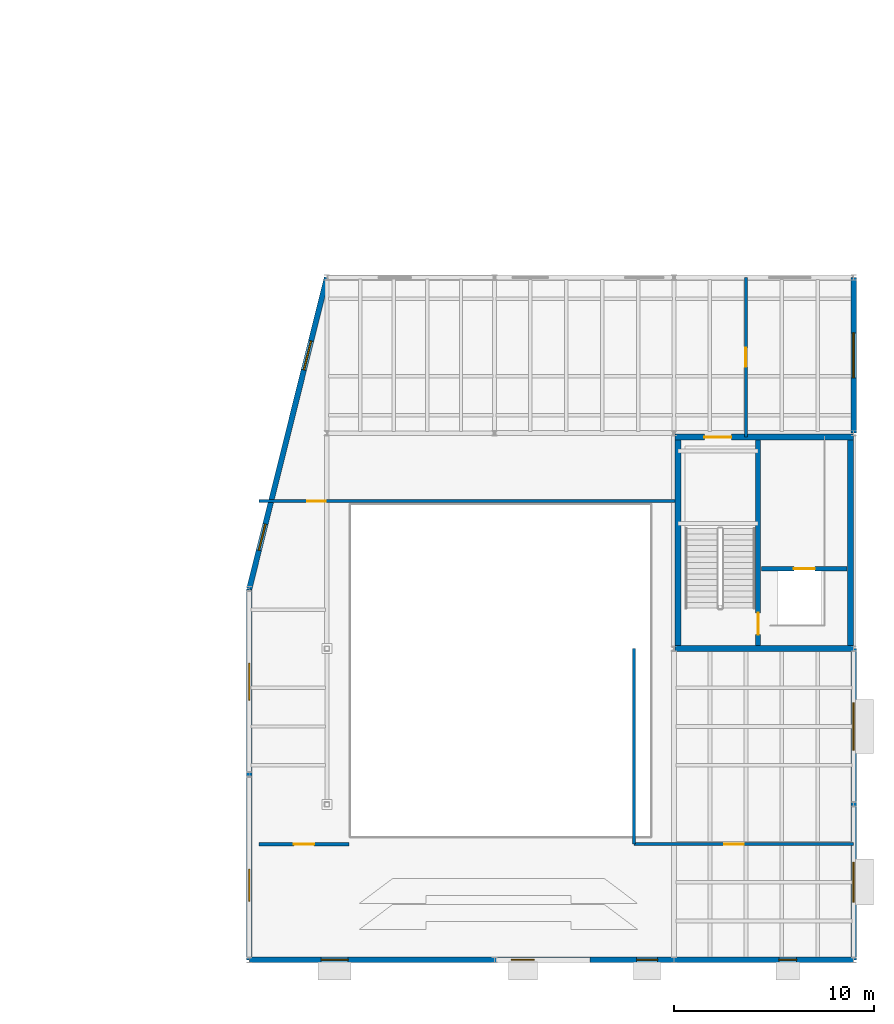
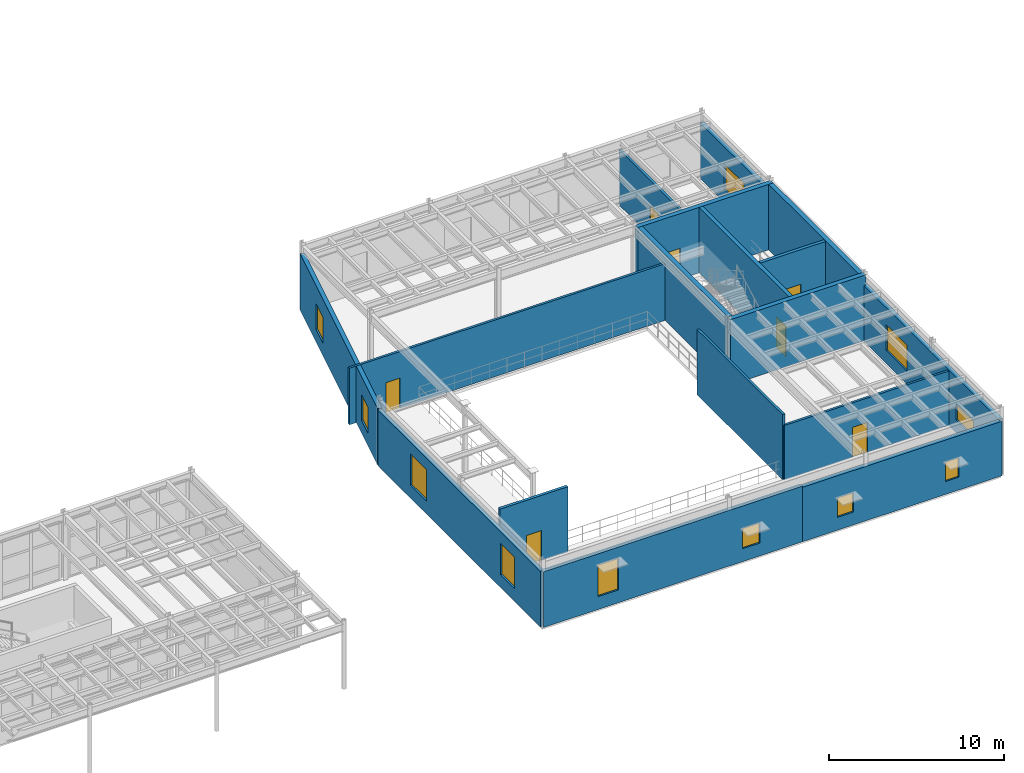
# One storey, part 100 of 116: 17 walls, 11 windows, 7 doors, 18 openings.
"""IFC4 building model written with IfcOpenShell, lengths in metres."""

from ifc_helpers import new_model, si_unit, direction, frame, frame_2d, origin, place, context, subcontext, project, spatial, rectangle, extrude, material, layer, layer_set, type_object, element, fill, save


model = new_model("IFC4")

# Units and contexts
model_context = context("Model", 3, precision=1e-05, world=origin(), true_north=direction((0.0, 1.0)))
body_context = subcontext(model_context, "Body", "Model", "MODEL_VIEW")
ifc_project = project(units=[si_unit("LENGTHUNIT", "METRE"), si_unit("AREAUNIT", "SQUARE_METRE"), si_unit("VOLUMEUNIT", "CUBIC_METRE"), si_unit("PLANEANGLEUNIT", "RADIAN"), si_unit("MASSUNIT", "GRAM", prefix="KILO")], contexts=[model_context])

# Site, building, storey
site_placement = place(None, origin())
site = spatial("IfcSite", under=ifc_project, at=site_placement, CompositionType="ELEMENT")
building_placement = place(site_placement, origin())
building = spatial("IfcBuilding", under=site, at=building_placement, Name="Selat Folded Stagehouse", CompositionType="ELEMENT")
storey_placement = place(building_placement, frame((0.0, 0.0, 5.39990234375)))
storey = spatial("IfcBuildingStorey", under=building, at=storey_placement, Name="L01", CompositionType="ELEMENT", Elevation=5.39990234375)

# Wall, opening, door
ifc_material_1 = material(Name="Acoustic twin-frame drywall partition", Category="gypsum")
ifc_layer_1 = layer(ifc_material_1, 0.18994140625)
ifc_layer_set_1 = layer_set([ifc_layer_1], Name="Acoustic twin-frame drywall partition")
wall_type_1 = type_object("IfcWallType", Name="WAL-ACOU-190", PredefinedType="PARTITIONING", material=ifc_layer_set_1)
wall_1_placement = place(storey_placement, frame((131.0, 5.800048828125, 0.0), z_axis=(0.0, 0.0, 1.0), x_axis=(1.0, 0.0, 0.0)))
wall_1 = element("IfcWall", 1, at=wall_1_placement, inside=storey, type_object=wall_type_1, Name="L01 interior partition wall 049", PredefinedType="PARTITIONING", context=body_context, shape_type="SweptSolid", body=[
    extrude(rectangle(XDim=4.5, YDim=0.18994140625, at=frame_2d((2.25, 0.0))), origin(), (0.0, 0.0, 1.0), 4.552001953125),
])
opening_1_placement = place(wall_1_placement, frame((1.739990234375, 0.0, 0.0)))
opening_1 = element("IfcOpeningElement", 2, at=opening_1_placement, cuts=wall_1, Name="Opening ID-01", PredefinedType="OPENING", context=body_context, shape_type="SweptSolid", body=[
    extrude(rectangle(XDim=1.02001953125, YDim=2.10009765625, at=frame_2d((0.510009765625, 1.050048828125))), frame((0.0, 0.10498046875, 0.0), z_axis=(0.0, -1.0, 0.0), x_axis=(1.0, 0.0, 0.0)), (0.0, 0.0, 1.0), 0.2099609375),
])
ifc_material_2 = material(Name="Performers dressing suite door", Category="wood")
door_type_1 = type_object("IfcDoorType", Name="DOR-DRS-1020", OperationType="NOTDEFINED", PredefinedType="DOOR", material=ifc_material_2)
door_1_placement = place(opening_1_placement, origin())
door_1 = element("IfcDoor", 3, at=door_1_placement, inside=storey, type_object=door_type_1, Name="L01 interior door IWAL-L01-049-1", OperationType="SINGLE_SWING_LEFT", OverallHeight=2.10009765625, OverallWidth=1.02001953125, PredefinedType="DOOR", context=body_context, shape_type="SweptSolid", body=[
    extrude(rectangle(XDim=1.02001953125, YDim=2.10009765625, at=frame_2d((0.510009765625, 1.050048828125))), frame((0.0, 0.02490234375, 0.0), z_axis=(0.0, -1.0, 0.0), x_axis=(1.0, 0.0, 0.0)), (0.0, 0.0, 1.0), 0.050048828125),
])
fill(opening_1, door_1)

ifc_material_3 = material(Name="Concrete C40/50", Category="concrete")
ifc_layer_2 = layer(ifc_material_3, 0.215087890625)
ifc_layer_set_2 = layer_set([ifc_layer_2], Name="Concrete C40/50")
wall_type_2 = type_object("IfcWallType", Name="WAL-COMP-215", PredefinedType="STANDARD", material=ifc_layer_set_2)
wall_2_placement = place(storey_placement, frame((156.179931640625, 19.60009765625, 0.0), z_axis=(0.0, 0.0, 1.0), x_axis=(1.0, 0.0, 0.0)))
wall_2 = element("IfcWall", 4, at=wall_2_placement, inside=storey, type_object=wall_type_2, Name="L01 PL-03 lift shaft front wall", PredefinedType="STANDARD", context=body_context, shape_type="SweptSolid", body=[
    extrude(rectangle(XDim=4.300048828125, YDim=0.215087890625, at=frame_2d((2.14990234375, 0.0))), origin(), (0.0, 0.0, 1.0), 4.572021484375),
])
opening_2_placement = place(wall_2_placement, frame((1.625, 0.0, 0.0)))
opening_2 = element("IfcOpeningElement", 5, at=opening_2_placement, cuts=wall_2, Name="Opening LD-03", PredefinedType="OPENING", context=body_context, shape_type="SweptSolid", body=[
    extrude(rectangle(XDim=1.050048828125, YDim=2.14990234375, at=frame_2d((0.52490234375, 1.074951171875))), frame((0.0, 0.117431640625, 0.0), z_axis=(0.0, -1.0, 0.0), x_axis=(1.0, 0.0, 0.0)), (0.0, 0.0, 1.0), 0.235107421875),
])
ifc_material_4 = material(Name="Passenger lift stainless sliding landing door", Category="wood")
door_type_2 = type_object("IfcDoorType", Name="DOR-LFT-1050", OperationType="NOTDEFINED", PredefinedType="DOOR", material=ifc_material_4)
door_2_placement = place(opening_2_placement, origin())
door_2 = element("IfcDoor", 6, at=door_2_placement, inside=storey, type_object=door_type_2, Name="L01 PL-03 lift sliding landing door", OperationType="SLIDING_TO_LEFT", OverallHeight=2.14990234375, OverallWidth=1.050048828125, PredefinedType="DOOR", context=body_context, shape_type="SweptSolid", body=[
    extrude(rectangle(XDim=1.050048828125, YDim=2.14990234375, at=frame_2d((0.52490234375, 1.074951171875))), frame((0.0, 0.02490234375, 0.0), z_axis=(0.0, -1.0, 0.0), x_axis=(1.0, 0.0, 0.0)), (0.0, 0.0, 1.0), 0.050048828125),
])
fill(opening_2, door_2)

ifc_material_5 = material(Name="Concrete C50/60", Category="concrete")
ifc_layer_3 = layer(ifc_material_5, 0.25)
ifc_layer_set_3 = layer_set([ifc_layer_3], Name="Concrete C50/60")
wall_type_3 = type_object("IfcWallType", Name="WAL-CORE-250", PredefinedType="SHEAR", material=ifc_layer_set_3)
wall_3_placement = place(storey_placement, frame((156.02001953125, 26.050048828125, 0.0), z_axis=(0.0, 0.0, 1.0), x_axis=(0.0, -1.0, 0.0)))
wall_3 = element("IfcWall", 7, at=wall_3_placement, inside=storey, type_object=wall_type_3, Name="L01 CR-4 internal core divider wall", PredefinedType="SHEAR", context=body_context, shape_type="SweptSolid", body=[
    extrude(rectangle(XDim=10.300048828125, YDim=0.25, at=frame_2d((5.14990234375, 0.0))), origin(), (0.0, 0.0, 1.0), 4.580078125),
])
opening_3_placement = place(wall_3_placement, frame((8.64990234375, 0.0, 0.0)))
opening_3 = element("IfcOpeningElement", 8, at=opening_3_placement, cuts=wall_3, Name="Opening FD-60", PredefinedType="OPENING", context=body_context, shape_type="SweptSolid", body=[
    extrude(rectangle(XDim=1.10009765625, YDim=2.14990234375, at=frame_2d((0.550048828125, 1.074951171875))), frame((0.0, 0.135009765625, 0.0), z_axis=(0.0, -1.0, 0.0), x_axis=(1.0, 0.0, 0.0)), (0.0, 0.0, 1.0), 0.27001953125),
])
ifc_material_6 = material(Name="Fire-rated timber core door", Category="wood")
door_type_3 = type_object("IfcDoorType", Name="DOR-FIRE-60", OperationType="NOTDEFINED", PredefinedType="DOOR", material=ifc_material_6)
door_3_placement = place(opening_3_placement, origin())
door_3 = element("IfcDoor", 9, at=door_3_placement, inside=storey, type_object=door_type_3, Name="L01 CR-4 protected stair fire door", OperationType="SINGLE_SWING_LEFT", OverallHeight=2.14990234375, OverallWidth=1.10009765625, PredefinedType="DOOR", context=body_context, shape_type="SweptSolid", body=[
    extrude(rectangle(XDim=1.10009765625, YDim=2.14990234375, at=frame_2d((0.550048828125, 1.074951171875))), frame((0.0, 0.02490234375, 0.0), z_axis=(0.0, -1.0, 0.0), x_axis=(1.0, 0.0, 0.0)), (0.0, 0.0, 1.0), 0.050048828125),
])
fill(opening_3, door_3)

# Wall, openings, windows
ifc_material_7 = material(Name="Precast concrete C40/50", Category="concrete")
ifc_layer_4 = layer(ifc_material_7, 0.27490234375)
ifc_layer_set_4 = layer_set([ifc_layer_4], Name="Precast concrete C40/50")
wall_type_4 = type_object("IfcWallType", Name="WAL-EXT-275", PredefinedType="STANDARD", material=ifc_layer_set_4)
wall_4_placement = place(storey_placement, frame((160.800048828125, 0.0, 0.0), z_axis=(0.0, 0.0, 1.0), x_axis=(-1.0, 0.0, 0.0)))
wall_4 = element("IfcWall", 10, at=wall_4_placement, inside=storey, type_object=wall_type_4, Name="L01 exterior facade wall EW-L01-V3S-1", PredefinedType="STANDARD", context=body_context, shape_type="SweptSolid", body=[
    extrude(rectangle(XDim=13.199951171875, YDim=0.27490234375, at=frame_2d((6.60009765625, 0.0))), origin(), (0.0, 0.0, 1.0), 3.80224609375),
])
opening_4_placement = place(wall_4_placement, frame((2.85009765625, 0.0, 0.89990234375)))
opening_4 = element("IfcOpeningElement", 11, at=opening_4_placement, cuts=wall_4, Name="Opening WN-44", PredefinedType="OPENING", context=body_context, shape_type="SweptSolid", body=[
    extrude(rectangle(XDim=0.89990234375, YDim=1.35009765625, at=frame_2d((0.449951171875, 0.675048828125))), frame((0.0, 0.1474609375, 0.0), z_axis=(0.0, -1.0, 0.0), x_axis=(1.0, 0.0, 0.0)), (0.0, 0.0, 1.0), 0.294921875),
])
opening_5_placement = place(wall_4_placement, frame((9.824951171875, 0.0, 0.89990234375)))
opening_5 = element("IfcOpeningElement", 12, at=opening_5_placement, cuts=wall_4, Name="Opening WN-43", PredefinedType="OPENING", context=body_context, shape_type="SweptSolid", body=[
    extrude(rectangle(XDim=1.050048828125, YDim=1.35009765625, at=frame_2d((0.52490234375, 0.675048828125))), frame((0.0, 0.1474609375, 0.0), z_axis=(0.0, -1.0, 0.0), x_axis=(1.0, 0.0, 0.0)), (0.0, 0.0, 1.0), 0.294921875),
])
ifc_material_8 = material(Name="Thermally broken aluminium and acoustic low-E glass", Category="aluminium")
window_type_1 = type_object("IfcWindowType", Name="WIN-ST-0900x1350", PartitioningType="SINGLE_PANEL", PredefinedType="WINDOW", material=ifc_material_8)
window_1_placement = place(opening_4_placement, origin())
window_1 = element("IfcWindow", 13, at=window_1_placement, inside=storey, type_object=window_type_1, Name="L01 exterior window EW-L01-V3S-1-1", OverallHeight=1.35009765625, OverallWidth=0.89990234375, PartitioningType="SINGLE_PANEL", PredefinedType="WINDOW", context=body_context, shape_type="SweptSolid", body=[
    extrude(rectangle(XDim=0.89990234375, YDim=1.35009765625, at=frame_2d((0.449951171875, 0.675048828125))), frame((0.0, 0.030029296875, 0.0), z_axis=(0.0, -1.0, 0.0), x_axis=(1.0, 0.0, 0.0)), (0.0, 0.0, 1.0), 0.06005859375),
])
fill(opening_4, window_1)
window_type_2 = type_object("IfcWindowType", Name="WIN-ST-1050x1350", PartitioningType="SINGLE_PANEL", PredefinedType="WINDOW", material=ifc_material_8)
window_2_placement = place(opening_5_placement, origin())
window_2 = element("IfcWindow", 14, at=window_2_placement, inside=storey, type_object=window_type_2, Name="L01 exterior window EW-L01-V3S-1-2", OverallHeight=1.35009765625, OverallWidth=1.050048828125, PartitioningType="SINGLE_PANEL", PredefinedType="WINDOW", context=body_context, shape_type="SweptSolid", body=[
    extrude(rectangle(XDim=1.050048828125, YDim=1.35009765625, at=frame_2d((0.52490234375, 0.675048828125))), frame((0.0, 0.030029296875, 0.0), z_axis=(0.0, -1.0, 0.0), x_axis=(1.0, 0.0, 0.0)), (0.0, 0.0, 1.0), 0.06005859375),
])
fill(opening_5, window_2)

wall_5_placement = place(storey_placement, frame((147.60009765625, 0.0, 0.0), z_axis=(0.0, 0.0, 1.0), x_axis=(-1.0, 0.0, 0.0)))
wall_5 = element("IfcWall", 15, at=wall_5_placement, inside=storey, type_object=wall_type_4, Name="L01 exterior facade wall EW-L01-V3S-2", PredefinedType="STANDARD", context=body_context, shape_type="SweptSolid", body=[
    extrude(rectangle(XDim=17.089599609375, YDim=0.27490234375, at=frame_2d((8.544921875, 0.0))), origin(), (0.0, 0.0, 1.0), 3.888671875),
])
opening_6_placement = place(wall_5_placement, frame((2.79736328125, 0.0, 0.89990234375)))
opening_6 = element("IfcOpeningElement", 16, at=opening_6_placement, cuts=wall_5, Name="Opening WN-42", PredefinedType="OPENING", context=body_context, shape_type="SweptSolid", body=[
    extrude(rectangle(XDim=1.14990234375, YDim=1.39990234375, at=frame_2d((0.574951171875, 0.699951171875))), frame((0.0, 0.1474609375, 0.0), z_axis=(0.0, -1.0, 0.0), x_axis=(1.0, 0.0, 0.0)), (0.0, 0.0, 1.0), 0.294921875),
])
opening_7_placement = place(wall_5_placement, frame((12.14208984375, 0.0, 0.89990234375)))
opening_7 = element("IfcOpeningElement", 17, at=opening_7_placement, cuts=wall_5, Name="Opening WN-41", PredefinedType="OPENING", context=body_context, shape_type="SweptSolid", body=[
    extrude(rectangle(XDim=1.35009765625, YDim=2.199951171875, at=frame_2d((0.675048828125, 1.10009765625))), frame((0.0, 0.1474609375, 0.0), z_axis=(0.0, -1.0, 0.0), x_axis=(1.0, 0.0, 0.0)), (0.0, 0.0, 1.0), 0.294921875),
])
window_type_3 = type_object("IfcWindowType", Name="WIN-ST-1150x1400", PartitioningType="SINGLE_PANEL", PredefinedType="WINDOW", material=ifc_material_8)
window_3_placement = place(opening_6_placement, origin())
window_3 = element("IfcWindow", 18, at=window_3_placement, inside=storey, type_object=window_type_3, Name="L01 exterior window EW-L01-V3S-2-1", OverallHeight=1.39990234375, OverallWidth=1.14990234375, PartitioningType="SINGLE_PANEL", PredefinedType="WINDOW", context=body_context, shape_type="SweptSolid", body=[
    extrude(rectangle(XDim=1.14990234375, YDim=1.39990234375, at=frame_2d((0.574951171875, 0.699951171875))), frame((0.0, 0.030029296875, 0.0), z_axis=(0.0, -1.0, 0.0), x_axis=(1.0, 0.0, 0.0)), (0.0, 0.0, 1.0), 0.06005859375),
])
fill(opening_6, window_3)
window_type_4 = type_object("IfcWindowType", Name="WIN-ST-1350x2200", PartitioningType="SINGLE_PANEL", PredefinedType="WINDOW", material=ifc_material_8)
window_4_placement = place(opening_7_placement, origin())
window_4 = element("IfcWindow", 19, at=window_4_placement, inside=storey, type_object=window_type_4, Name="L01 exterior window EW-L01-V3S-2-2", OverallHeight=2.199951171875, OverallWidth=1.35009765625, PartitioningType="SINGLE_PANEL", PredefinedType="WINDOW", context=body_context, shape_type="SweptSolid", body=[
    extrude(rectangle(XDim=1.35009765625, YDim=2.199951171875, at=frame_2d((0.675048828125, 1.10009765625))), frame((0.0, 0.030029296875, 0.0), z_axis=(0.0, -1.0, 0.0), x_axis=(1.0, 0.0, 0.0)), (0.0, 0.0, 1.0), 0.06005859375),
])
fill(opening_7, window_4)

wall_6_placement = place(storey_placement, frame((130.510498046875, 0.0, 0.0), z_axis=(0.0, 0.0, 1.0), x_axis=(0.0, 1.0, 0.0)))
wall_6 = element("IfcWall", 20, at=wall_6_placement, inside=storey, type_object=wall_type_4, Name="L01 exterior facade wall EW-L01-V3W-1", PredefinedType="STANDARD", context=body_context, shape_type="SweptSolid", body=[
    extrude(rectangle(XDim=18.60009765625, YDim=0.27490234375, at=frame_2d((9.300048828125, 0.0))), origin(), (0.0, 0.0, 1.0), 3.888671875),
])
opening_8_placement = place(wall_6_placement, frame((2.949951171875, 0.0, 0.89990234375)))
opening_8 = element("IfcOpeningElement", 21, at=opening_8_placement, cuts=wall_6, Name="Opening WN-40", PredefinedType="OPENING", context=body_context, shape_type="SweptSolid", body=[
    extrude(rectangle(XDim=1.60009765625, YDim=2.199951171875, at=frame_2d((0.800048828125, 1.10009765625))), frame((0.0, 0.1474609375, 0.0), z_axis=(0.0, -1.0, 0.0), x_axis=(1.0, 0.0, 0.0)), (0.0, 0.0, 1.0), 0.294921875),
])
opening_9_placement = place(wall_6_placement, frame((13.02490234375, 0.0, 0.89990234375)))
opening_9 = element("IfcOpeningElement", 22, at=opening_9_placement, cuts=wall_6, Name="Opening WN-39", PredefinedType="OPENING", context=body_context, shape_type="SweptSolid", body=[
    extrude(rectangle(XDim=1.85009765625, YDim=2.199951171875, at=frame_2d((0.925048828125, 1.10009765625))), frame((0.0, 0.1474609375, 0.0), z_axis=(0.0, -1.0, 0.0), x_axis=(1.0, 0.0, 0.0)), (0.0, 0.0, 1.0), 0.294921875),
])
window_type_5 = type_object("IfcWindowType", Name="WIN-ST-1600x2200", PartitioningType="SINGLE_PANEL", PredefinedType="WINDOW", material=ifc_material_8)
window_5_placement = place(opening_8_placement, origin())
window_5 = element("IfcWindow", 23, at=window_5_placement, inside=storey, type_object=window_type_5, Name="L01 exterior window EW-L01-V3W-1-1", OverallHeight=2.199951171875, OverallWidth=1.60009765625, PartitioningType="SINGLE_PANEL", PredefinedType="WINDOW", context=body_context, shape_type="SweptSolid", body=[
    extrude(rectangle(XDim=1.60009765625, YDim=2.199951171875, at=frame_2d((0.800048828125, 1.10009765625))), frame((0.0, 0.030029296875, 0.0), z_axis=(0.0, -1.0, 0.0), x_axis=(1.0, 0.0, 0.0)), (0.0, 0.0, 1.0), 0.06005859375),
])
fill(opening_8, window_5)
window_type_6 = type_object("IfcWindowType", Name="WIN-ST-1850x2200", PartitioningType="SINGLE_PANEL", PredefinedType="WINDOW", material=ifc_material_8)
window_6_placement = place(opening_9_placement, origin())
window_6 = element("IfcWindow", 24, at=window_6_placement, inside=storey, type_object=window_type_6, Name="L01 exterior window EW-L01-V3W-1-2", OverallHeight=2.199951171875, OverallWidth=1.85009765625, PartitioningType="SINGLE_PANEL", PredefinedType="WINDOW", context=body_context, shape_type="SweptSolid", body=[
    extrude(rectangle(XDim=1.85009765625, YDim=2.199951171875, at=frame_2d((0.925048828125, 1.10009765625))), frame((0.0, 0.030029296875, 0.0), z_axis=(0.0, -1.0, 0.0), x_axis=(1.0, 0.0, 0.0)), (0.0, 0.0, 1.0), 0.06005859375),
])
fill(opening_9, window_6)

wall_7_placement = place(storey_placement, frame((130.510498046875, 18.60009765625, 0.0), z_axis=(0.0, 0.0, 1.0), x_axis=(0.241917443673, 0.970296836255, 0.0)))
wall_7 = element("IfcWall", 25, at=wall_7_placement, inside=storey, type_object=wall_type_4, Name="L01 exterior facade wall EW-L01-V3W-2", PredefinedType="STANDARD", context=body_context, shape_type="SweptSolid", body=[
    extrude(rectangle(XDim=16.077392578125, YDim=0.27490234375, at=frame_2d((8.03857421875, 0.0))), origin(), (0.0, 0.0, 1.0), 3.954833984375),
])
opening_10_placement = place(wall_7_placement, frame((1.994384765625, 0.0, 0.89990234375)))
opening_10 = element("IfcOpeningElement", 26, at=opening_10_placement, cuts=wall_7, Name="Opening WN-08", PredefinedType="OPENING", context=body_context, shape_type="SweptSolid", body=[
    extrude(rectangle(XDim=1.35009765625, YDim=1.800048828125, at=frame_2d((0.675048828125, 0.89990234375))), frame((0.0, 0.1474609375, 0.0), z_axis=(0.0, -1.0, 0.0), x_axis=(1.0, 0.0, 0.0)), (0.0, 0.0, 1.0), 0.294921875),
])
opening_11_placement = place(wall_7_placement, frame((11.30810546875, 0.0, 0.89990234375)))
opening_11 = element("IfcOpeningElement", 27, at=opening_11_placement, cuts=wall_7, Name="Opening WN-07", PredefinedType="OPENING", context=body_context, shape_type="SweptSolid", body=[
    extrude(rectangle(XDim=1.5, YDim=1.800048828125, at=frame_2d((0.75, 0.89990234375))), frame((0.0, 0.1474609375, 0.0), z_axis=(0.0, -1.0, 0.0), x_axis=(1.0, 0.0, 0.0)), (0.0, 0.0, 1.0), 0.294921875),
])
window_type_7 = type_object("IfcWindowType", Name="WIN-WK-1350x1800", PartitioningType="SINGLE_PANEL", PredefinedType="WINDOW", material=ifc_material_8)
window_7_placement = place(opening_10_placement, origin())
window_7 = element("IfcWindow", 28, at=window_7_placement, inside=storey, type_object=window_type_7, Name="L01 exterior window EW-L01-V3W-2-1", OverallHeight=1.800048828125, OverallWidth=1.35009765625, PartitioningType="SINGLE_PANEL", PredefinedType="WINDOW", context=body_context, shape_type="SweptSolid", body=[
    extrude(rectangle(XDim=1.35009765625, YDim=1.800048828125, at=frame_2d((0.675048828125, 0.89990234375))), frame((0.0, 0.030029296875, 0.0), z_axis=(0.0, -1.0, 0.0), x_axis=(1.0, 0.0, 0.0)), (0.0, 0.0, 1.0), 0.06005859375),
])
fill(opening_10, window_7)
window_type_8 = type_object("IfcWindowType", Name="WIN-WK-1500x1800", PartitioningType="SINGLE_PANEL", PredefinedType="WINDOW", material=ifc_material_8)
window_8_placement = place(opening_11_placement, origin())
window_8 = element("IfcWindow", 29, at=window_8_placement, inside=storey, type_object=window_type_8, Name="L01 exterior window EW-L01-V3W-2-2", OverallHeight=1.800048828125, OverallWidth=1.5, PartitioningType="SINGLE_PANEL", PredefinedType="WINDOW", context=body_context, shape_type="SweptSolid", body=[
    extrude(rectangle(XDim=1.5, YDim=1.800048828125, at=frame_2d((0.75, 0.89990234375))), frame((0.0, 0.030029296875, 0.0), z_axis=(0.0, -1.0, 0.0), x_axis=(1.0, 0.0, 0.0)), (0.0, 0.0, 1.0), 0.06005859375),
])
fill(opening_11, window_8)

# Wall, opening, window
wall_8_placement = place(storey_placement, frame((160.800048828125, 34.199951171875, 0.0), z_axis=(0.0, 0.0, 1.0), x_axis=(0.0, -1.0, 0.0)))
wall_8 = element("IfcWall", 30, at=wall_8_placement, inside=storey, type_object=wall_type_4, Name="L01 exterior facade wall EW-L01-V3E-1", PredefinedType="STANDARD", context=body_context, shape_type="SweptSolid", body=[
    extrude(rectangle(XDim=7.800048828125, YDim=0.27490234375, at=frame_2d((3.89990234375, 0.0))), origin(), (0.0, 0.0, 1.0), 3.888671875),
])
opening_12_placement = place(wall_8_placement, frame((2.77490234375, 0.0, 0.89990234375)))
opening_12 = element("IfcOpeningElement", 31, at=opening_12_placement, cuts=wall_8, Name="Opening WN-02", PredefinedType="OPENING", context=body_context, shape_type="SweptSolid", body=[
    extrude(rectangle(XDim=2.25, YDim=1.800048828125, at=frame_2d((1.125, 0.89990234375))), frame((0.0, 0.1474609375, 0.0), z_axis=(0.0, -1.0, 0.0), x_axis=(1.0, 0.0, 0.0)), (0.0, 0.0, 1.0), 0.294921875),
])
window_type_9 = type_object("IfcWindowType", Name="WIN-WK-2250x1800", PartitioningType="SINGLE_PANEL", PredefinedType="WINDOW", material=ifc_material_8)
window_9_placement = place(opening_12_placement, origin())
window_9 = element("IfcWindow", 32, at=window_9_placement, inside=storey, type_object=window_type_9, Name="L01 exterior window EW-L01-V3E-1-1", OverallHeight=1.800048828125, OverallWidth=2.25, PartitioningType="SINGLE_PANEL", PredefinedType="WINDOW", context=body_context, shape_type="SweptSolid", body=[
    extrude(rectangle(XDim=2.25, YDim=1.800048828125, at=frame_2d((1.125, 0.89990234375))), frame((0.0, 0.030029296875, 0.0), z_axis=(0.0, -1.0, 0.0), x_axis=(1.0, 0.0, 0.0)), (0.0, 0.0, 1.0), 0.06005859375),
])
fill(opening_12, window_9)

# Wall, openings, windows
wall_9_placement = place(storey_placement, frame((160.800048828125, 15.60009765625, 0.0), z_axis=(0.0, 0.0, 1.0), x_axis=(0.0, -1.0, 0.0)))
wall_9 = element("IfcWall", 33, at=wall_9_placement, inside=storey, type_object=wall_type_4, Name="L01 exterior facade wall EW-L01-V3E-3", PredefinedType="STANDARD", context=body_context, shape_type="SweptSolid", body=[
    extrude(rectangle(XDim=15.60009765625, YDim=0.27490234375, at=frame_2d((7.800048828125, 0.0))), origin(), (0.0, 0.0, 1.0), 3.888671875),
])
opening_13_placement = place(wall_9_placement, frame((2.699951171875, 0.0, 0.89990234375)))
opening_13 = element("IfcOpeningElement", 34, at=opening_13_placement, cuts=wall_9, Name="Opening WN-01", PredefinedType="OPENING", context=body_context, shape_type="SweptSolid", body=[
    extrude(rectangle(XDim=2.39990234375, YDim=1.800048828125, at=frame_2d((1.199951171875, 0.89990234375))), frame((0.0, 0.1474609375, 0.0), z_axis=(0.0, -1.0, 0.0), x_axis=(1.0, 0.0, 0.0)), (0.0, 0.0, 1.0), 0.294921875),
])
opening_14_placement = place(wall_9_placement, frame((10.699951171875, 0.0, 0.89990234375)))
opening_14 = element("IfcOpeningElement", 35, at=opening_14_placement, cuts=wall_9, Name="Opening WN-14", PredefinedType="OPENING", context=body_context, shape_type="SweptSolid", body=[
    extrude(rectangle(XDim=2.0, YDim=1.10009765625, at=frame_2d((1.0, 0.550048828125))), frame((0.0, 0.1474609375, 0.0), z_axis=(0.0, -1.0, 0.0), x_axis=(1.0, 0.0, 0.0)), (0.0, 0.0, 1.0), 0.294921875),
])
window_type_10 = type_object("IfcWindowType", Name="WIN-CL-2000x1100", PartitioningType="SINGLE_PANEL", PredefinedType="WINDOW", material=ifc_material_8)
window_10_placement = place(opening_14_placement, origin())
window_10 = element("IfcWindow", 36, at=window_10_placement, inside=storey, type_object=window_type_10, Name="L01 exterior window EW-L01-V3E-3-2", OverallHeight=1.10009765625, OverallWidth=2.0, PartitioningType="SINGLE_PANEL", PredefinedType="WINDOW", context=body_context, shape_type="SweptSolid", body=[
    extrude(rectangle(XDim=2.0, YDim=1.10009765625, at=frame_2d((1.0, 0.550048828125))), frame((0.0, 0.030029296875, 0.0), z_axis=(0.0, -1.0, 0.0), x_axis=(1.0, 0.0, 0.0)), (0.0, 0.0, 1.0), 0.06005859375),
])
fill(opening_14, window_10)
window_type_11 = type_object("IfcWindowType", Name="WIN-WK-2400x1800", PartitioningType="SINGLE_PANEL", PredefinedType="WINDOW", material=ifc_material_8)
window_11_placement = place(opening_13_placement, origin())
window_11 = element("IfcWindow", 37, at=window_11_placement, inside=storey, type_object=window_type_11, Name="L01 exterior window EW-L01-V3E-3-1", OverallHeight=1.800048828125, OverallWidth=2.39990234375, PartitioningType="SINGLE_PANEL", PredefinedType="WINDOW", context=body_context, shape_type="SweptSolid", body=[
    extrude(rectangle(XDim=2.39990234375, YDim=1.800048828125, at=frame_2d((1.199951171875, 0.89990234375))), frame((0.0, 0.030029296875, 0.0), z_axis=(0.0, -1.0, 0.0), x_axis=(1.0, 0.0, 0.0)), (0.0, 0.0, 1.0), 0.06005859375),
])
fill(opening_13, window_11)

# Wall, opening, door
ifc_material_9 = material(Name="Fire-rated drywall stud partition", Category="gypsum")
ifc_layer_5 = layer(ifc_material_9, 0.14990234375)
ifc_layer_set_5 = layer_set([ifc_layer_5], Name="Fire-rated drywall stud partition")
wall_type_5 = type_object("IfcWallType", Name="WAL-PART-150", PredefinedType="PARTITIONING", material=ifc_layer_set_5)
wall_10_placement = place(storey_placement, frame((131.0, 23.0, 0.0), z_axis=(0.0, 0.0, 1.0), x_axis=(1.0, 0.0, 0.0)))
wall_10 = element("IfcWall", 38, at=wall_10_placement, inside=storey, type_object=wall_type_5, Name="L01 interior partition wall 050", PredefinedType="PARTITIONING", context=body_context, shape_type="SweptSolid", body=[
    extrude(rectangle(XDim=21.0, YDim=0.14990234375, at=frame_2d((10.5, 0.0))), origin(), (0.0, 0.0, 1.0), 3.954833984375),
])
opening_15_placement = place(wall_10_placement, frame((2.4072265625, 0.0, 0.0)))
opening_15 = element("IfcOpeningElement", 39, at=opening_15_placement, cuts=wall_10, Name="Opening ID-03", PredefinedType="OPENING", context=body_context, shape_type="SweptSolid", body=[
    extrude(rectangle(XDim=0.93994140625, YDim=2.10009765625, at=frame_2d((0.469970703125, 1.050048828125))), frame((0.0, 0.0849609375, 0.0), z_axis=(0.0, -1.0, 0.0), x_axis=(1.0, 0.0, 0.0)), (0.0, 0.0, 1.0), 0.169921875),
])
ifc_material_10 = material(Name="Backstage room single door", Category="wood")
door_type_4 = type_object("IfcDoorType", Name="DOR-GEN-0940", OperationType="NOTDEFINED", PredefinedType="DOOR", material=ifc_material_10)
door_4_placement = place(opening_15_placement, origin())
door_4 = element("IfcDoor", 40, at=door_4_placement, inside=storey, type_object=door_type_4, Name="L01 interior door IWAL-L01-050-1", OperationType="SINGLE_SWING_RIGHT", OverallHeight=2.10009765625, OverallWidth=0.93994140625, PredefinedType="DOOR", context=body_context, shape_type="SweptSolid", body=[
    extrude(rectangle(XDim=0.93994140625, YDim=2.10009765625, at=frame_2d((0.469970703125, 1.050048828125))), frame((0.0, 0.02490234375, 0.0), z_axis=(0.0, -1.0, 0.0), x_axis=(1.0, 0.0, 0.0)), (0.0, 0.0, 1.0), 0.050048828125),
])
fill(opening_15, door_4)

wall_11_placement = place(storey_placement, frame((149.800048828125, 5.800048828125, 0.0), z_axis=(0.0, 0.0, 1.0), x_axis=(1.0, 0.0, 0.0)))
wall_11 = element("IfcWall", 41, at=wall_11_placement, inside=storey, type_object=wall_type_5, Name="L01 interior partition wall 051", PredefinedType="PARTITIONING", context=body_context, shape_type="SweptSolid", body=[
    extrude(rectangle(XDim=11.0, YDim=0.14990234375, at=frame_2d((5.5, 0.0))), origin(), (0.0, 0.0, 1.0), 3.80224609375),
])
opening_16_placement = place(wall_11_placement, frame((4.509033203125, 0.0, 0.0)))
opening_16 = element("IfcOpeningElement", 42, at=opening_16_placement, cuts=wall_11, Name="Opening ID-02", PredefinedType="OPENING", context=body_context, shape_type="SweptSolid", body=[
    extrude(rectangle(XDim=0.97998046875, YDim=2.10009765625, at=frame_2d((0.489990234375, 1.050048828125))), frame((0.0, 0.0849609375, 0.0), z_axis=(0.0, -1.0, 0.0), x_axis=(1.0, 0.0, 0.0)), (0.0, 0.0, 1.0), 0.169921875),
])
ifc_material_11 = material(Name="Production office timber door", Category="wood")
door_type_5 = type_object("IfcDoorType", Name="DOR-OFF-0980", OperationType="NOTDEFINED", PredefinedType="DOOR", material=ifc_material_11)
door_5_placement = place(opening_16_placement, origin())
door_5 = element("IfcDoor", 43, at=door_5_placement, inside=storey, type_object=door_type_5, Name="L01 interior door IWAL-L01-051-1", OperationType="SINGLE_SWING_LEFT", OverallHeight=2.10009765625, OverallWidth=0.97998046875, PredefinedType="DOOR", context=body_context, shape_type="SweptSolid", body=[
    extrude(rectangle(XDim=0.97998046875, YDim=2.10009765625, at=frame_2d((0.489990234375, 1.050048828125))), frame((0.0, 0.02490234375, 0.0), z_axis=(0.0, -1.0, 0.0), x_axis=(1.0, 0.0, 0.0)), (0.0, 0.0, 1.0), 0.050048828125),
])
fill(opening_16, door_5)

# Wall
wall_12_placement = place(storey_placement, frame((149.800048828125, 5.800048828125, 0.0), z_axis=(0.0, 0.0, 1.0), x_axis=(0.0, 1.0, 0.0)))
element("IfcWall", 44, at=wall_12_placement, inside=storey, type_object=wall_type_5, Name="L01 interior partition wall 052", PredefinedType="PARTITIONING", context=body_context, shape_type="SweptSolid", body=[
    extrude(rectangle(XDim=9.800048828125, YDim=0.14990234375, at=frame_2d((4.89990234375, 0.0))), origin(), (0.0, 0.0, 1.0), 4.552001953125),
])

# Wall, opening, door
ifc_material_12 = material(Name="Moisture-resistant sanitary service wall", Category="gypsum")
ifc_layer_6 = layer(ifc_material_12, 0.159912109375)
ifc_layer_set_6 = layer_set([ifc_layer_6], Name="Moisture-resistant sanitary service wall")
wall_type_6 = type_object("IfcWallType", Name="WAL-PLMB-160", PredefinedType="PLUMBINGWALL", material=ifc_layer_set_6)
wall_13_placement = place(storey_placement, frame((155.39990234375, 26.199951171875, 0.0), z_axis=(0.0, 0.0, 1.0), x_axis=(0.0, 1.0, 0.0)))
wall_13 = element("IfcWall", 45, at=wall_13_placement, inside=storey, type_object=wall_type_6, Name="L01 interior partition wall 053", PredefinedType="PLUMBINGWALL", context=body_context, shape_type="SweptSolid", body=[
    extrude(rectangle(XDim=8.0, YDim=0.159912109375, at=frame_2d((4.0, 0.0))), origin(), (0.0, 0.0, 1.0), 3.888671875),
])
opening_17_placement = place(wall_13_placement, frame((3.52490234375, 0.0, 0.0)))
opening_17 = element("IfcOpeningElement", 46, at=opening_17_placement, cuts=wall_13, Name="Opening ID-04", PredefinedType="OPENING", context=body_context, shape_type="SweptSolid", body=[
    extrude(rectangle(XDim=0.949951171875, YDim=2.10009765625, at=frame_2d((0.47509765625, 1.050048828125))), frame((0.0, 0.08984375, 0.0), z_axis=(0.0, -1.0, 0.0), x_axis=(1.0, 0.0, 0.0)), (0.0, 0.0, 1.0), 0.179931640625),
])
ifc_material_13 = material(Name="Accessible toilet outward-opening door", Category="wood")
door_type_6 = type_object("IfcDoorType", Name="DOR-WC-0950", OperationType="NOTDEFINED", PredefinedType="DOOR", material=ifc_material_13)
door_6_placement = place(opening_17_placement, origin())
door_6 = element("IfcDoor", 47, at=door_6_placement, inside=storey, type_object=door_type_6, Name="L01 interior door IWAL-L01-053-1", OperationType="SINGLE_SWING_RIGHT", OverallHeight=2.10009765625, OverallWidth=0.949951171875, PredefinedType="DOOR", context=body_context, shape_type="SweptSolid", body=[
    extrude(rectangle(XDim=0.949951171875, YDim=2.10009765625, at=frame_2d((0.47509765625, 1.050048828125))), frame((0.0, 0.02490234375, 0.0), z_axis=(0.0, -1.0, 0.0), x_axis=(1.0, 0.0, 0.0)), (0.0, 0.0, 1.0), 0.050048828125),
])
fill(opening_17, door_6)

# Wall
ifc_layer_7 = layer(ifc_material_5, 0.300048828125)
ifc_layer_set_7 = layer_set([ifc_layer_7], Name="Concrete C50/60")
wall_type_7 = type_object("IfcWallType", Name="WAL-SW-300", PredefinedType="SHEAR", material=ifc_layer_set_7)
wall_14_placement = place(storey_placement, frame((160.800048828125, 15.60009765625, 0.0), z_axis=(0.0, 0.0, 1.0), x_axis=(-1.0, 0.0, 0.0)))
element("IfcWall", 48, at=wall_14_placement, inside=storey, type_object=wall_type_7, Name="L01 CR-4 south shear wall", PredefinedType="SHEAR", context=body_context, shape_type="SweptSolid", body=[
    extrude(rectangle(XDim=8.949951171875, YDim=0.300048828125, at=frame_2d((4.47509765625, 0.0))), origin(), (0.0, 0.0, 1.0), 4.580078125),
])

# Wall, opening, door
wall_15_placement = place(storey_placement, frame((151.85009765625, 26.199951171875, 0.0), z_axis=(0.0, 0.0, 1.0), x_axis=(1.0, 0.0, 0.0)))
wall_15 = element("IfcWall", 49, at=wall_15_placement, inside=storey, type_object=wall_type_7, Name="L01 CR-4 north shear wall", PredefinedType="SHEAR", context=body_context, shape_type="SweptSolid", body=[
    extrude(rectangle(XDim=8.949951171875, YDim=0.300048828125, at=frame_2d((4.47509765625, 0.0))), origin(), (0.0, 0.0, 1.0), 4.580078125),
])
opening_18_placement = place(wall_15_placement, frame((1.47509765625, 0.0, 0.0)))
opening_18 = element("IfcOpeningElement", 50, at=opening_18_placement, cuts=wall_15, Name="Opening FD-60B", PredefinedType="OPENING", context=body_context, shape_type="SweptSolid", body=[
    extrude(rectangle(XDim=1.35009765625, YDim=2.14990234375, at=frame_2d((0.675048828125, 1.074951171875))), frame((0.0, 0.159912109375, 0.0), z_axis=(0.0, -1.0, 0.0), x_axis=(1.0, 0.0, 0.0)), (0.0, 0.0, 1.0), 0.320068359375),
])
ifc_material_14 = material(Name="Protected stair escape door", Category="wood")
door_type_7 = type_object("IfcDoorType", Name="DOR-STR-1350", OperationType="NOTDEFINED", PredefinedType="DOOR", material=ifc_material_14)
door_7_placement = place(opening_18_placement, origin())
door_7 = element("IfcDoor", 51, at=door_7_placement, inside=storey, type_object=door_type_7, Name="L01 CR-4 core lobby fire door", OperationType="SINGLE_SWING_RIGHT", OverallHeight=2.14990234375, OverallWidth=1.35009765625, PredefinedType="DOOR", context=body_context, shape_type="SweptSolid", body=[
    extrude(rectangle(XDim=1.35009765625, YDim=2.14990234375, at=frame_2d((0.675048828125, 1.074951171875))), frame((0.0, 0.02490234375, 0.0), z_axis=(0.0, -1.0, 0.0), x_axis=(1.0, 0.0, 0.0)), (0.0, 0.0, 1.0), 0.050048828125),
])
fill(opening_18, door_7)

# Walls
for number, where, z_axis, x_axis, name in (
    (52, (152.0, 15.75, 0.0), (0.0, 0.0, 1.0), (0.0, 1.0, 0.0), "L01 CR-4 west shear wall"),
    (53, (160.64990234375, 26.050048828125, 0.0), (0.0, 0.0, 1.0), (0.0, -1.0, 0.0), "L01 CR-4 east shear wall"),
):
    element("IfcWall", number, at=place(storey_placement, frame(where, z_axis=z_axis, x_axis=x_axis)), inside=storey, type_object=wall_type_7, Name=name, PredefinedType="SHEAR", context=body_context, shape_type="SweptSolid", body=[
        extrude(rectangle(XDim=10.300048828125, YDim=0.300048828125, at=frame_2d((5.14990234375, 0.0))), origin(), (0.0, 0.0, 1.0), 4.580078125),
    ])

save(model, "model.ifc")
